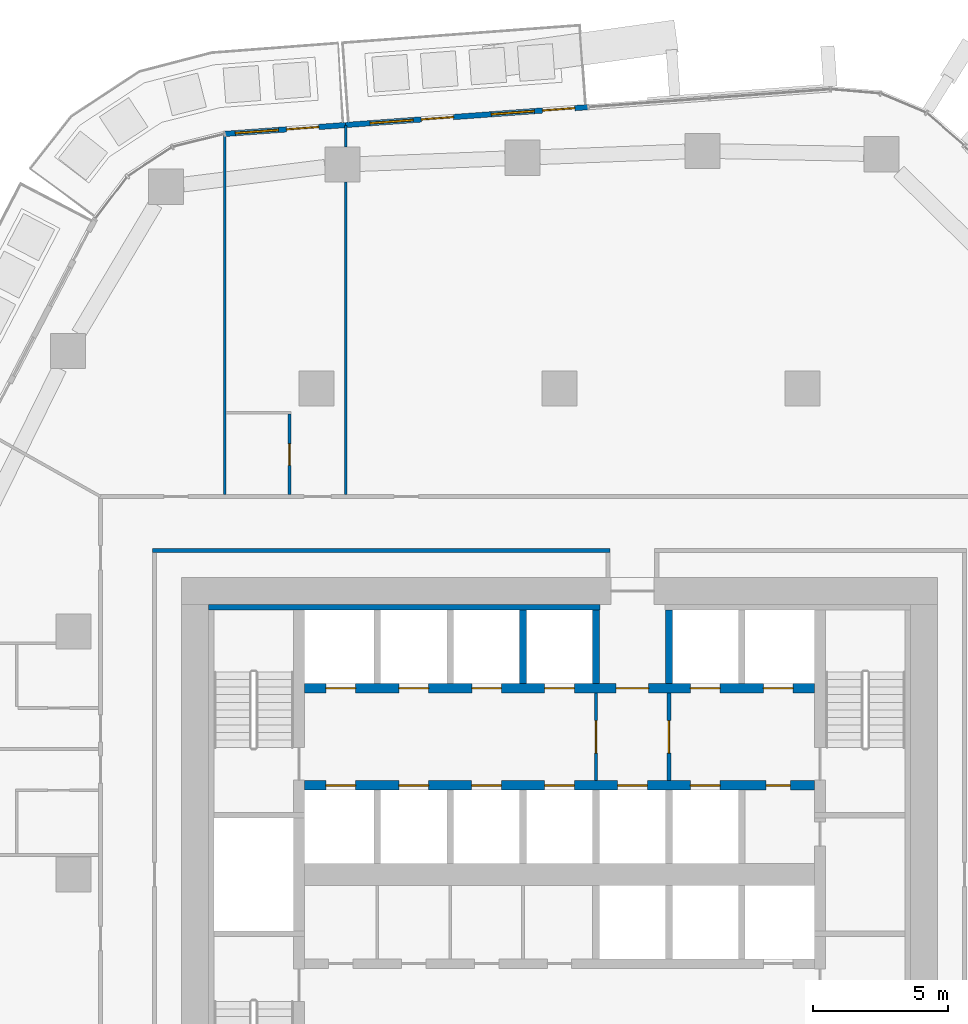
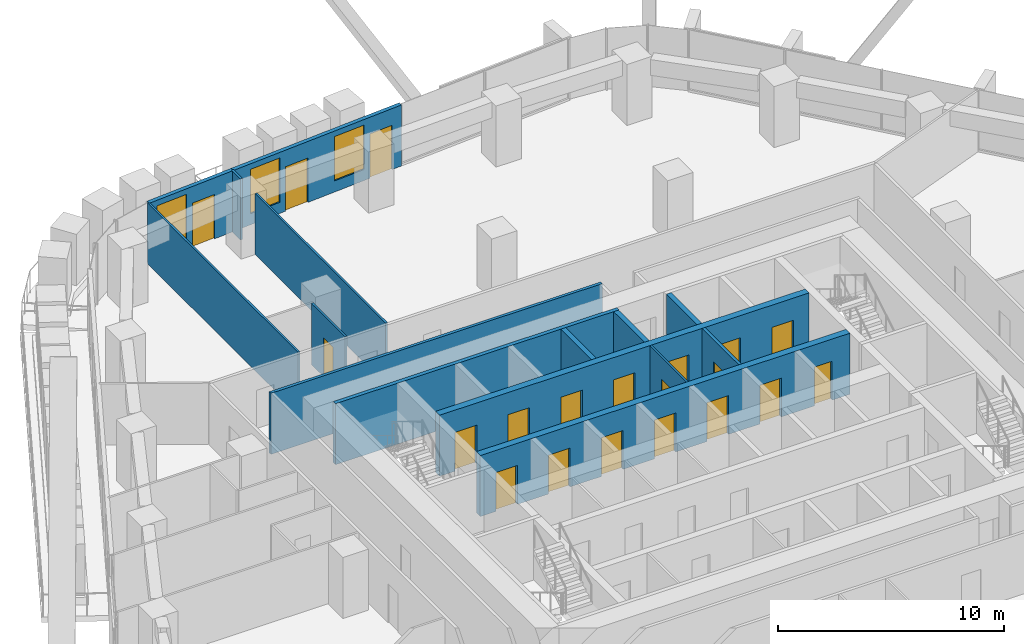
# One storey, part 15 of 24: 20 doors, 15 walls, 3 windows, 23 openings.
"""IFC4 building model written with IfcOpenShell, lengths in metres."""

from ifc_helpers import new_model, si_unit, direction, frame, frame_2d, origin, place, context, subcontext, project, spatial, rectangle, extrude, material, layer, layer_set, type_object, element, fill, save


model = new_model("IFC4")

# Units and contexts
model_context = context("Model", 3, precision=1e-05, world=origin(), true_north=direction((0.0, 1.0)))
body_context = subcontext(model_context, "Body", "Model", "MODEL_VIEW")
ifc_project = project(units=[si_unit("LENGTHUNIT", "METRE"), si_unit("AREAUNIT", "SQUARE_METRE"), si_unit("VOLUMEUNIT", "CUBIC_METRE"), si_unit("PLANEANGLEUNIT", "RADIAN"), si_unit("MASSUNIT", "GRAM", prefix="KILO")], contexts=[model_context])

# Site, building, storey
site_placement = place(None, origin())
site = spatial("IfcSite", under=ifc_project, at=site_placement, CompositionType="ELEMENT")
building_placement = place(site_placement, origin())
building = spatial("IfcBuilding", under=site, at=building_placement, Name="Dongbaek Canopy Tower", CompositionType="ELEMENT")
storey_placement = place(building_placement, frame((0.0, 0.0, 128.5)))
storey = spatial("IfcBuildingStorey", under=building, at=storey_placement, Name="L28", CompositionType="ELEMENT", Elevation=128.5)

# Wall, openings, doors
ifc_material_1 = material(Name="Concrete C60/75", Category="concrete")
ifc_layer_1 = layer(ifc_material_1, 0.35009765625)
ifc_layer_set_1 = layer_set([ifc_layer_1], Name="Core lobby wall 350 Concrete C60/75")
wall_type_1 = type_object("IfcWallType", Name="Core lobby wall 350 Concrete C60/75", PredefinedType="SHEAR", material=ifc_layer_set_1)
wall_1_placement = place(storey_placement, frame((-9.449951171875, 6.89990234375, 0.0), z_axis=(0.0, 0.0, 1.0), x_axis=(1.0, 0.0, 0.0)))
wall_1 = element("IfcWall", 1, at=wall_1_placement, inside=storey, type_object=wall_type_1, Name="Core wall", PredefinedType="SHEAR", context=body_context, shape_type="SweptSolid", body=[
    extrude(rectangle(XDim=18.89990234375, YDim=0.35009765625, at=frame_2d((9.449951171875, 0.0))), origin(), (0.0, 0.0, 1.0), 3.300048828125),
])
opening_1_placement = place(wall_1_placement, frame((0.800048828125, 0.0, 0.0)))
opening_1 = element("IfcOpeningElement", 2, at=opening_1_placement, cuts=wall_1, Name="Opening L28-D026", PredefinedType="OPENING", context=body_context, shape_type="SweptSolid", body=[
    extrude(rectangle(XDim=1.10009765625, YDim=2.10009765625, at=frame_2d((0.550048828125, 1.050048828125))), frame((0.0, 0.18505859375, 0.0), z_axis=(0.0, -1.0, 0.0), x_axis=(1.0, 0.0, 0.0)), (0.0, 0.0, 1.0), 0.3701171875),
])
opening_2_placement = place(wall_1_placement, frame((3.5, 0.0, 0.0)))
opening_2 = element("IfcOpeningElement", 3, at=opening_2_placement, cuts=wall_1, Name="Opening L28-D027", PredefinedType="OPENING", context=body_context, shape_type="SweptSolid", body=[
    extrude(rectangle(XDim=1.10009765625, YDim=2.10009765625, at=frame_2d((0.550048828125, 1.050048828125))), frame((0.0, 0.18505859375, 0.0), z_axis=(0.0, -1.0, 0.0), x_axis=(1.0, 0.0, 0.0)), (0.0, 0.0, 1.0), 0.3701171875),
])
opening_3_placement = place(wall_1_placement, frame((6.199951171875, 0.0, 0.0)))
opening_3 = element("IfcOpeningElement", 4, at=opening_3_placement, cuts=wall_1, Name="Opening L28-D028", PredefinedType="OPENING", context=body_context, shape_type="SweptSolid", body=[
    extrude(rectangle(XDim=1.10009765625, YDim=2.10009765625, at=frame_2d((0.550048828125, 1.050048828125))), frame((0.0, 0.18505859375, 0.0), z_axis=(0.0, -1.0, 0.0), x_axis=(1.0, 0.0, 0.0)), (0.0, 0.0, 1.0), 0.3701171875),
])
opening_4_placement = place(wall_1_placement, frame((8.89990234375, 0.0, 0.0)))
opening_4 = element("IfcOpeningElement", 5, at=opening_4_placement, cuts=wall_1, Name="Opening L28-D029", PredefinedType="OPENING", context=body_context, shape_type="SweptSolid", body=[
    extrude(rectangle(XDim=1.10009765625, YDim=2.10009765625, at=frame_2d((0.550048828125, 1.050048828125))), frame((0.0, 0.18505859375, 0.0), z_axis=(0.0, -1.0, 0.0), x_axis=(1.0, 0.0, 0.0)), (0.0, 0.0, 1.0), 0.3701171875),
])
opening_5_placement = place(wall_1_placement, frame((11.550048828125, 0.0, 0.0)))
opening_5 = element("IfcOpeningElement", 6, at=opening_5_placement, cuts=wall_1, Name="Opening L28-D031", PredefinedType="OPENING", context=body_context, shape_type="SweptSolid", body=[
    extrude(rectangle(XDim=1.199951171875, YDim=2.10009765625, at=frame_2d((0.60009765625, 1.050048828125))), frame((0.0, 0.18505859375, 0.0), z_axis=(0.0, -1.0, 0.0), x_axis=(1.0, 0.0, 0.0)), (0.0, 0.0, 1.0), 0.3701171875),
])
opening_6_placement = place(wall_1_placement, frame((14.300048828125, 0.0, 0.0)))
opening_6 = element("IfcOpeningElement", 7, at=opening_6_placement, cuts=wall_1, Name="Opening L28-D032", PredefinedType="OPENING", context=body_context, shape_type="SweptSolid", body=[
    extrude(rectangle(XDim=1.10009765625, YDim=2.10009765625, at=frame_2d((0.550048828125, 1.050048828125))), frame((0.0, 0.18505859375, 0.0), z_axis=(0.0, -1.0, 0.0), x_axis=(1.0, 0.0, 0.0)), (0.0, 0.0, 1.0), 0.3701171875),
])
opening_7_placement = place(wall_1_placement, frame((17.0, 0.0, 0.0)))
opening_7 = element("IfcOpeningElement", 8, at=opening_7_placement, cuts=wall_1, Name="Opening L28-D033", PredefinedType="OPENING", context=body_context, shape_type="SweptSolid", body=[
    extrude(rectangle(XDim=1.10009765625, YDim=2.10009765625, at=frame_2d((0.550048828125, 1.050048828125))), frame((0.0, 0.18505859375, 0.0), z_axis=(0.0, -1.0, 0.0), x_axis=(1.0, 0.0, 0.0)), (0.0, 0.0, 1.0), 0.3701171875),
])
ifc_material_2 = material(Name="Steel", Category="steel")
door_type_1 = type_object("IfcDoorType", Name="Fire lobby door 1200 x 2100", OperationType="SINGLE_SWING_LEFT", PredefinedType="DOOR", material=ifc_material_2)
door_1_placement = place(opening_5_placement, origin())
door_1 = element("IfcDoor", 9, at=door_1_placement, inside=storey, type_object=door_type_1, Name="Door L28-D031", OperationType="SINGLE_SWING_LEFT", OverallHeight=2.10009765625, OverallWidth=1.199951171875, PredefinedType="DOOR", context=body_context, shape_type="SweptSolid", body=[
    extrude(rectangle(XDim=1.199951171875, YDim=2.10009765625, at=frame_2d((0.60009765625, 1.050048828125))), frame((0.0, 0.02490234375, 0.0), z_axis=(0.0, -1.0, 0.0), x_axis=(1.0, 0.0, 0.0)), (0.0, 0.0, 1.0), 0.050048828125),
])
fill(opening_5, door_1)
ifc_material_3 = material(Name="Stainless steel", Category="steel")
door_type_2 = type_object("IfcDoorType", Name="Lift landing door 1100 x 2100", OperationType="DOUBLE_DOOR_SLIDING", PredefinedType="DOOR", material=ifc_material_3)
door_2_placement = place(opening_1_placement, origin())
door_2 = element("IfcDoor", 10, at=door_2_placement, inside=storey, type_object=door_type_2, Name="Landing door LR1", OperationType="DOUBLE_DOOR_SLIDING", OverallHeight=2.10009765625, OverallWidth=1.10009765625, PredefinedType="DOOR", context=body_context, shape_type="SweptSolid", body=[
    extrude(rectangle(XDim=1.10009765625, YDim=2.10009765625, at=frame_2d((0.550048828125, 1.050048828125))), frame((0.0, 0.02490234375, 0.0), z_axis=(0.0, -1.0, 0.0), x_axis=(1.0, 0.0, 0.0)), (0.0, 0.0, 1.0), 0.050048828125),
])
fill(opening_1, door_2)
door_3_placement = place(opening_2_placement, origin())
door_3 = element("IfcDoor", 11, at=door_3_placement, inside=storey, type_object=door_type_2, Name="Landing door LR2", OperationType="DOUBLE_DOOR_SLIDING", OverallHeight=2.10009765625, OverallWidth=1.10009765625, PredefinedType="DOOR", context=body_context, shape_type="SweptSolid", body=[
    extrude(rectangle(XDim=1.10009765625, YDim=2.10009765625, at=frame_2d((0.550048828125, 1.050048828125))), frame((0.0, 0.02490234375, 0.0), z_axis=(0.0, -1.0, 0.0), x_axis=(1.0, 0.0, 0.0)), (0.0, 0.0, 1.0), 0.050048828125),
])
fill(opening_2, door_3)
door_4_placement = place(opening_3_placement, origin())
door_4 = element("IfcDoor", 12, at=door_4_placement, inside=storey, type_object=door_type_2, Name="Landing door LR3", OperationType="DOUBLE_DOOR_SLIDING", OverallHeight=2.10009765625, OverallWidth=1.10009765625, PredefinedType="DOOR", context=body_context, shape_type="SweptSolid", body=[
    extrude(rectangle(XDim=1.10009765625, YDim=2.10009765625, at=frame_2d((0.550048828125, 1.050048828125))), frame((0.0, 0.02490234375, 0.0), z_axis=(0.0, -1.0, 0.0), x_axis=(1.0, 0.0, 0.0)), (0.0, 0.0, 1.0), 0.050048828125),
])
fill(opening_3, door_4)
door_5_placement = place(opening_4_placement, origin())
door_5 = element("IfcDoor", 13, at=door_5_placement, inside=storey, type_object=door_type_2, Name="Landing door LR4", OperationType="DOUBLE_DOOR_SLIDING", OverallHeight=2.10009765625, OverallWidth=1.10009765625, PredefinedType="DOOR", context=body_context, shape_type="SweptSolid", body=[
    extrude(rectangle(XDim=1.10009765625, YDim=2.10009765625, at=frame_2d((0.550048828125, 1.050048828125))), frame((0.0, 0.02490234375, 0.0), z_axis=(0.0, -1.0, 0.0), x_axis=(1.0, 0.0, 0.0)), (0.0, 0.0, 1.0), 0.050048828125),
])
fill(opening_4, door_5)
door_6_placement = place(opening_6_placement, origin())
door_6 = element("IfcDoor", 14, at=door_6_placement, inside=storey, type_object=door_type_2, Name="Landing door FF1", OperationType="DOUBLE_DOOR_SLIDING", OverallHeight=2.10009765625, OverallWidth=1.10009765625, PredefinedType="DOOR", context=body_context, shape_type="SweptSolid", body=[
    extrude(rectangle(XDim=1.10009765625, YDim=2.10009765625, at=frame_2d((0.550048828125, 1.050048828125))), frame((0.0, 0.02490234375, 0.0), z_axis=(0.0, -1.0, 0.0), x_axis=(1.0, 0.0, 0.0)), (0.0, 0.0, 1.0), 0.050048828125),
])
fill(opening_6, door_6)
door_7_placement = place(opening_7_placement, origin())
door_7 = element("IfcDoor", 15, at=door_7_placement, inside=storey, type_object=door_type_2, Name="Landing door FF2", OperationType="DOUBLE_DOOR_SLIDING", OverallHeight=2.10009765625, OverallWidth=1.10009765625, PredefinedType="DOOR", context=body_context, shape_type="SweptSolid", body=[
    extrude(rectangle(XDim=1.10009765625, YDim=2.10009765625, at=frame_2d((0.550048828125, 1.050048828125))), frame((0.0, 0.02490234375, 0.0), z_axis=(0.0, -1.0, 0.0), x_axis=(1.0, 0.0, 0.0)), (0.0, 0.0, 1.0), 0.050048828125),
])
fill(opening_7, door_7)

wall_2_placement = place(storey_placement, frame((9.449951171875, 3.300048828125, 0.0), z_axis=(0.0, 0.0, 1.0), x_axis=(-1.0, 0.0, 0.0)))
wall_2 = element("IfcWall", 16, at=wall_2_placement, inside=storey, type_object=wall_type_1, Name="Core wall", PredefinedType="SHEAR", context=body_context, shape_type="SweptSolid", body=[
    extrude(rectangle(XDim=18.89990234375, YDim=0.35009765625, at=frame_2d((9.449951171875, 0.0))), origin(), (0.0, 0.0, 1.0), 3.300048828125),
])
opening_8_placement = place(wall_2_placement, frame((17.0, 0.0, 0.0)))
opening_8 = element("IfcOpeningElement", 17, at=opening_8_placement, cuts=wall_2, Name="Opening L28-D034", PredefinedType="OPENING", context=body_context, shape_type="SweptSolid", body=[
    extrude(rectangle(XDim=1.10009765625, YDim=2.10009765625, at=frame_2d((0.550048828125, 1.050048828125))), frame((0.0, 0.18505859375, 0.0), z_axis=(0.0, -1.0, 0.0), x_axis=(1.0, 0.0, 0.0)), (0.0, 0.0, 1.0), 0.3701171875),
])
opening_9_placement = place(wall_2_placement, frame((14.300048828125, 0.0, 0.0)))
opening_9 = element("IfcOpeningElement", 18, at=opening_9_placement, cuts=wall_2, Name="Opening L28-D035", PredefinedType="OPENING", context=body_context, shape_type="SweptSolid", body=[
    extrude(rectangle(XDim=1.10009765625, YDim=2.10009765625, at=frame_2d((0.550048828125, 1.050048828125))), frame((0.0, 0.18505859375, 0.0), z_axis=(0.0, -1.0, 0.0), x_axis=(1.0, 0.0, 0.0)), (0.0, 0.0, 1.0), 0.3701171875),
])
opening_10_placement = place(wall_2_placement, frame((11.60009765625, 0.0, 0.0)))
opening_10 = element("IfcOpeningElement", 19, at=opening_10_placement, cuts=wall_2, Name="Opening L28-D036", PredefinedType="OPENING", context=body_context, shape_type="SweptSolid", body=[
    extrude(rectangle(XDim=1.10009765625, YDim=2.10009765625, at=frame_2d((0.550048828125, 1.050048828125))), frame((0.0, 0.18505859375, 0.0), z_axis=(0.0, -1.0, 0.0), x_axis=(1.0, 0.0, 0.0)), (0.0, 0.0, 1.0), 0.3701171875),
])
opening_11_placement = place(wall_2_placement, frame((8.89990234375, 0.0, 0.0)))
opening_11 = element("IfcOpeningElement", 20, at=opening_11_placement, cuts=wall_2, Name="Opening L28-D037", PredefinedType="OPENING", context=body_context, shape_type="SweptSolid", body=[
    extrude(rectangle(XDim=1.10009765625, YDim=2.10009765625, at=frame_2d((0.550048828125, 1.050048828125))), frame((0.0, 0.18505859375, 0.0), z_axis=(0.0, -1.0, 0.0), x_axis=(1.0, 0.0, 0.0)), (0.0, 0.0, 1.0), 0.3701171875),
])
opening_12_placement = place(wall_2_placement, frame((6.199951171875, 0.0, 0.0)))
opening_12 = element("IfcOpeningElement", 21, at=opening_12_placement, cuts=wall_2, Name="Opening L28-D038", PredefinedType="OPENING", context=body_context, shape_type="SweptSolid", body=[
    extrude(rectangle(XDim=1.10009765625, YDim=2.10009765625, at=frame_2d((0.550048828125, 1.050048828125))), frame((0.0, 0.18505859375, 0.0), z_axis=(0.0, -1.0, 0.0), x_axis=(1.0, 0.0, 0.0)), (0.0, 0.0, 1.0), 0.3701171875),
])
opening_13_placement = place(wall_2_placement, frame((3.5, 0.0, 0.0)))
opening_13 = element("IfcOpeningElement", 22, at=opening_13_placement, cuts=wall_2, Name="Opening L28-D039", PredefinedType="OPENING", context=body_context, shape_type="SweptSolid", body=[
    extrude(rectangle(XDim=1.10009765625, YDim=2.10009765625, at=frame_2d((0.550048828125, 1.050048828125))), frame((0.0, 0.18505859375, 0.0), z_axis=(0.0, -1.0, 0.0), x_axis=(1.0, 0.0, 0.0)), (0.0, 0.0, 1.0), 0.3701171875),
])
opening_14_placement = place(wall_2_placement, frame((0.89990234375, 0.0, 0.0)))
opening_14 = element("IfcOpeningElement", 23, at=opening_14_placement, cuts=wall_2, Name="Opening L28-D040", PredefinedType="OPENING", context=body_context, shape_type="SweptSolid", body=[
    extrude(rectangle(XDim=0.89990234375, YDim=2.10009765625, at=frame_2d((0.449951171875, 1.050048828125))), frame((0.0, 0.18505859375, 0.0), z_axis=(0.0, -1.0, 0.0), x_axis=(1.0, 0.0, 0.0)), (0.0, 0.0, 1.0), 0.3701171875),
])
ifc_material_4 = material(Name="Steel", Category="steel")
door_type_3 = type_object("IfcDoorType", Name="Core room door 900 x 2100", OperationType="SINGLE_SWING_LEFT", PredefinedType="DOOR", material=ifc_material_4)
door_8_placement = place(opening_14_placement, origin())
door_8 = element("IfcDoor", 24, at=door_8_placement, inside=storey, type_object=door_type_3, Name="Door L28-D040", OperationType="SINGLE_SWING_LEFT", OverallHeight=2.10009765625, OverallWidth=0.89990234375, PredefinedType="DOOR", context=body_context, shape_type="SweptSolid", body=[
    extrude(rectangle(XDim=0.89990234375, YDim=2.10009765625, at=frame_2d((0.449951171875, 1.050048828125))), frame((0.0, 0.02490234375, 0.0), z_axis=(0.0, -1.0, 0.0), x_axis=(1.0, 0.0, 0.0)), (0.0, 0.0, 1.0), 0.050048828125),
])
fill(opening_14, door_8)
door_9_placement = place(opening_8_placement, origin())
door_9 = element("IfcDoor", 25, at=door_9_placement, inside=storey, type_object=door_type_2, Name="Landing door LR5", OperationType="DOUBLE_DOOR_SLIDING", OverallHeight=2.10009765625, OverallWidth=1.10009765625, PredefinedType="DOOR", context=body_context, shape_type="SweptSolid", body=[
    extrude(rectangle(XDim=1.10009765625, YDim=2.10009765625, at=frame_2d((0.550048828125, 1.050048828125))), frame((0.0, 0.02490234375, 0.0), z_axis=(0.0, -1.0, 0.0), x_axis=(1.0, 0.0, 0.0)), (0.0, 0.0, 1.0), 0.050048828125),
])
fill(opening_8, door_9)
door_10_placement = place(opening_9_placement, origin())
door_10 = element("IfcDoor", 26, at=door_10_placement, inside=storey, type_object=door_type_2, Name="Landing door LR6", OperationType="DOUBLE_DOOR_SLIDING", OverallHeight=2.10009765625, OverallWidth=1.10009765625, PredefinedType="DOOR", context=body_context, shape_type="SweptSolid", body=[
    extrude(rectangle(XDim=1.10009765625, YDim=2.10009765625, at=frame_2d((0.550048828125, 1.050048828125))), frame((0.0, 0.02490234375, 0.0), z_axis=(0.0, -1.0, 0.0), x_axis=(1.0, 0.0, 0.0)), (0.0, 0.0, 1.0), 0.050048828125),
])
fill(opening_9, door_10)
door_11_placement = place(opening_10_placement, origin())
door_11 = element("IfcDoor", 27, at=door_11_placement, inside=storey, type_object=door_type_2, Name="Landing door LR7", OperationType="DOUBLE_DOOR_SLIDING", OverallHeight=2.10009765625, OverallWidth=1.10009765625, PredefinedType="DOOR", context=body_context, shape_type="SweptSolid", body=[
    extrude(rectangle(XDim=1.10009765625, YDim=2.10009765625, at=frame_2d((0.550048828125, 1.050048828125))), frame((0.0, 0.02490234375, 0.0), z_axis=(0.0, -1.0, 0.0), x_axis=(1.0, 0.0, 0.0)), (0.0, 0.0, 1.0), 0.050048828125),
])
fill(opening_10, door_11)
door_12_placement = place(opening_11_placement, origin())
door_12 = element("IfcDoor", 28, at=door_12_placement, inside=storey, type_object=door_type_2, Name="Landing door LR8", OperationType="DOUBLE_DOOR_SLIDING", OverallHeight=2.10009765625, OverallWidth=1.10009765625, PredefinedType="DOOR", context=body_context, shape_type="SweptSolid", body=[
    extrude(rectangle(XDim=1.10009765625, YDim=2.10009765625, at=frame_2d((0.550048828125, 1.050048828125))), frame((0.0, 0.02490234375, 0.0), z_axis=(0.0, -1.0, 0.0), x_axis=(1.0, 0.0, 0.0)), (0.0, 0.0, 1.0), 0.050048828125),
])
fill(opening_11, door_12)
door_13_placement = place(opening_12_placement, origin())
door_13 = element("IfcDoor", 29, at=door_13_placement, inside=storey, type_object=door_type_2, Name="Landing door SV1", OperationType="DOUBLE_DOOR_SLIDING", OverallHeight=2.10009765625, OverallWidth=1.10009765625, PredefinedType="DOOR", context=body_context, shape_type="SweptSolid", body=[
    extrude(rectangle(XDim=1.10009765625, YDim=2.10009765625, at=frame_2d((0.550048828125, 1.050048828125))), frame((0.0, 0.02490234375, 0.0), z_axis=(0.0, -1.0, 0.0), x_axis=(1.0, 0.0, 0.0)), (0.0, 0.0, 1.0), 0.050048828125),
])
fill(opening_12, door_13)
door_14_placement = place(opening_13_placement, origin())
door_14 = element("IfcDoor", 30, at=door_14_placement, inside=storey, type_object=door_type_2, Name="Landing door FF3", OperationType="DOUBLE_DOOR_SLIDING", OverallHeight=2.10009765625, OverallWidth=1.10009765625, PredefinedType="DOOR", context=body_context, shape_type="SweptSolid", body=[
    extrude(rectangle(XDim=1.10009765625, YDim=2.10009765625, at=frame_2d((0.550048828125, 1.050048828125))), frame((0.0, 0.02490234375, 0.0), z_axis=(0.0, -1.0, 0.0), x_axis=(1.0, 0.0, 0.0)), (0.0, 0.0, 1.0), 0.050048828125),
])
fill(opening_13, door_14)

# Walls
ifc_material_5 = material(Name="Concrete C60/75", Category="concrete")
ifc_layer_2 = layer(ifc_material_5, 0.199951171875)
ifc_layer_set_2 = layer_set([ifc_layer_2], Name="Core wall lining 200 Concrete C60/75")
wall_type_2 = type_object("IfcWallType", Name="Core wall lining 200 Concrete C60/75", PredefinedType="SHEAR", material=ifc_layer_set_2)
wall_3_placement = place(storey_placement, frame((-13.0, 9.89990234375, 0.0), z_axis=(0.0, 0.0, 1.0), x_axis=(1.0, 0.0, 0.0)))
element("IfcWall", 31, at=wall_3_placement, inside=storey, type_object=wall_type_2, Name="Core wall lining", PredefinedType="SHEAR", context=body_context, shape_type="SweptSolid", body=[
    extrude(rectangle(XDim=14.5, YDim=0.199951171875, at=frame_2d((7.25, 0.0))), origin(), (0.0, 0.0, 1.0), 3.300048828125),
])
ifc_material_6 = material(Name="Gypsum board partition, steel stud, 2 x 15 mm fire board", Category="steel")
ifc_layer_3 = layer(ifc_material_6, 0.14990234375)
ifc_layer_set_3 = layer_set([ifc_layer_3], Name="Fire-rated partition 150 gypsum board")
wall_type_3 = type_object("IfcWallType", Name="Fire-rated partition 150 gypsum board", PredefinedType="PARTITIONING", material=ifc_layer_set_3)
wall_4_placement = place(storey_placement, frame((-15.074951171875, 12.0, 0.0), z_axis=(0.0, 0.0, 1.0), x_axis=(1.0, 0.0, 0.0)))
element("IfcWall", 32, at=wall_4_placement, inside=storey, type_object=wall_type_3, Name="Corridor partition", PredefinedType="PARTITIONING", context=body_context, shape_type="SweptSolid", body=[
    extrude(rectangle(XDim=16.949951171875, YDim=0.14990234375, at=frame_2d((8.47509765625, 0.0))), origin(), (0.0, 0.0, 1.0), 3.300048828125),
])

# Wall, opening, door
wall_5_placement = place(storey_placement, frame((4.050048828125, 6.72509765625, 0.0), z_axis=(0.0, 0.0, 1.0), x_axis=(0.0, -1.0, 0.0)))
wall_5 = element("IfcWall", 33, at=wall_5_placement, inside=storey, type_object=wall_type_3, Name="Fire lobby partition", PredefinedType="PARTITIONING", context=body_context, shape_type="SweptSolid", body=[
    extrude(rectangle(XDim=3.25, YDim=0.14990234375, at=frame_2d((1.625, 0.0))), origin(), (0.0, 0.0, 1.0), 3.300048828125),
])
opening_15_placement = place(wall_5_placement, frame((1.02490234375, 0.0, 0.0)))
opening_15 = element("IfcOpeningElement", 34, at=opening_15_placement, cuts=wall_5, Name="Opening L28-D056", PredefinedType="OPENING", context=body_context, shape_type="SweptSolid", body=[
    extrude(rectangle(XDim=1.199951171875, YDim=2.10009765625, at=frame_2d((0.60009765625, 1.050048828125))), frame((0.0, 0.0849609375, 0.0), z_axis=(0.0, -1.0, 0.0), x_axis=(1.0, 0.0, 0.0)), (0.0, 0.0, 1.0), 0.169921875),
])
door_15_placement = place(opening_15_placement, origin())
door_15 = element("IfcDoor", 35, at=door_15_placement, inside=storey, type_object=door_type_1, Name="Door L28-D056", OperationType="SINGLE_SWING_RIGHT", OverallHeight=2.10009765625, OverallWidth=1.199951171875, PredefinedType="DOOR", context=body_context, shape_type="SweptSolid", body=[
    extrude(rectangle(XDim=1.199951171875, YDim=2.10009765625, at=frame_2d((0.60009765625, 1.050048828125))), frame((0.0, 0.02490234375, 0.0), z_axis=(0.0, -1.0, 0.0), x_axis=(1.0, 0.0, 0.0)), (0.0, 0.0, 1.0), 0.050048828125),
])
fill(opening_15, door_15)

# Walls
ifc_material_7 = material(Name="Concrete C40/50", Category="concrete")
ifc_layer_4 = layer(ifc_material_7, 0.25)
ifc_layer_set_4 = layer_set([ifc_layer_4], Name="Lift shaft wall 250 Concrete C40/50")
wall_type_4 = type_object("IfcWallType", Name="Lift shaft wall 250 Concrete C40/50", PredefinedType="SOLIDWALL", material=ifc_layer_set_4)
for number, where, z_axis, x_axis, name in (
    (36, (4.050048828125, 7.074951171875, 0.0), (0.0, 0.0, 1.0), (0.0, 1.0, 0.0), "Lift shaft wall"),
    (37, (1.35009765625, 7.074951171875, 0.0), (0.0, 0.0, 1.0), (0.0, 1.0, 0.0), "Lift shaft wall"),
    (38, (-1.35009765625, 7.074951171875, 0.0), (0.0, 0.0, 1.0), (0.0, 1.0, 0.0), "Lift shaft wall"),
):
    element("IfcWall", number, at=place(storey_placement, frame(where, z_axis=z_axis, x_axis=x_axis)), inside=storey, type_object=wall_type_4, Name=name, PredefinedType="SOLIDWALL", context=body_context, shape_type="SweptSolid", body=[
        extrude(rectangle(XDim=2.72509765625, YDim=0.25, at=frame_2d((1.362548828125, 0.0))), origin(), (0.0, 0.0, 1.0), 3.300048828125),
    ])
ifc_material_8 = material(Name="Gypsum board partition, steel stud, 2 x 12.5 mm board", Category="steel")
ifc_layer_5 = layer(ifc_material_8, 0.10009765625)
ifc_layer_set_5 = layer_set([ifc_layer_5], Name="Partition 100 gypsum board")
wall_type_5 = type_object("IfcWallType", Name="Partition 100 gypsum board", PredefinedType="PARTITIONING", material=ifc_layer_set_5)
wall_6_placement = place(storey_placement, frame((-7.916015625, 14.074951171875, 0.0), z_axis=(0.0, 0.0, 1.0), x_axis=(0.0, 1.0, 0.0)))
element("IfcWall", 39, at=wall_6_placement, inside=storey, type_object=wall_type_5, Name="Partition", PredefinedType="PARTITIONING", context=body_context, shape_type="SweptSolid", body=[
    extrude(rectangle(XDim=11.56298828125, YDim=0.10009765625, at=frame_2d((5.781494140625, 0.0))), origin(), (0.0, 0.0, 1.0), 3.300048828125),
])
wall_7_placement = place(storey_placement, frame((-7.916015625, 26.93798828125, 0.0), z_axis=(0.0, 0.0, 1.0), x_axis=(0.0, 1.0, 0.0)))
element("IfcWall", 40, at=wall_7_placement, inside=storey, type_object=wall_type_5, Name="Partition", PredefinedType="PARTITIONING", context=body_context, shape_type="SweptSolid", body=[
    extrude(rectangle(XDim=0.799072265625, YDim=0.10009765625, at=frame_2d((0.3994140625, 0.0))), origin(), (0.0, 0.0, 1.0), 3.300048828125),
])

# Wall, opening, door
wall_8_placement = place(storey_placement, frame((-9.9990234375, 14.074951171875, 0.0), z_axis=(0.0, 0.0, 1.0), x_axis=(0.0, 1.0, 0.0)))
wall_8 = element("IfcWall", 41, at=wall_8_placement, inside=storey, type_object=wall_type_5, Name="Partition", PredefinedType="PARTITIONING", context=body_context, shape_type="SweptSolid", body=[
    extrude(rectangle(XDim=2.97509765625, YDim=0.10009765625, at=frame_2d((1.487548828125, 0.0))), origin(), (0.0, 0.0, 1.0), 3.300048828125),
])
opening_16_placement = place(wall_8_placement, frame((1.074951171875, 0.0, 0.0)))
opening_16 = element("IfcOpeningElement", 42, at=opening_16_placement, cuts=wall_8, Name="Opening L28-D015", PredefinedType="OPENING", context=body_context, shape_type="SweptSolid", body=[
    extrude(rectangle(XDim=0.800048828125, YDim=2.10009765625, at=frame_2d((0.39990234375, 1.050048828125))), frame((0.0, 0.06005859375, 0.0), z_axis=(0.0, -1.0, 0.0), x_axis=(1.0, 0.0, 0.0)), (0.0, 0.0, 1.0), 0.1201171875),
])
ifc_material_9 = material(Name="Timber veneered door leaf", Category="wood")
door_type_4 = type_object("IfcDoorType", Name="En-suite door 800 x 2100", OperationType="SINGLE_SWING_LEFT", PredefinedType="DOOR", material=ifc_material_9)
door_16_placement = place(opening_16_placement, origin())
door_16 = element("IfcDoor", 43, at=door_16_placement, inside=storey, type_object=door_type_4, Name="Door L28-D015", OperationType="SINGLE_SWING_RIGHT", OverallHeight=2.10009765625, OverallWidth=0.800048828125, PredefinedType="DOOR", context=body_context, shape_type="SweptSolid", body=[
    extrude(rectangle(XDim=0.800048828125, YDim=2.10009765625, at=frame_2d((0.39990234375, 1.050048828125))), frame((0.0, 0.02490234375, 0.0), z_axis=(0.0, -1.0, 0.0), x_axis=(1.0, 0.0, 0.0)), (0.0, 0.0, 1.0), 0.050048828125),
])
fill(opening_16, door_16)

# Wall
wall_9_placement = place(storey_placement, frame((-12.39892578125, 14.074951171875, 0.0), z_axis=(0.0, 0.0, 1.0), x_axis=(0.0, 1.0, 0.0)))
element("IfcWall", 44, at=wall_9_placement, inside=storey, type_object=wall_type_5, Name="Partition", PredefinedType="PARTITIONING", context=body_context, shape_type="SweptSolid", body=[
    extrude(rectangle(XDim=13.3310546875, YDim=0.10009765625, at=frame_2d((6.66552734375, 0.0))), origin(), (0.0, 0.0, 1.0), 3.300048828125),
])

# Wall, opening, door
wall_10_placement = place(storey_placement, frame((1.35009765625, 6.72509765625, 0.0), z_axis=(0.0, 0.0, 1.0), x_axis=(0.0, -1.0, 0.0)))
wall_10 = element("IfcWall", 45, at=wall_10_placement, inside=storey, type_object=wall_type_5, Name="Core partition", PredefinedType="PARTITIONING", context=body_context, shape_type="SweptSolid", body=[
    extrude(rectangle(XDim=3.25, YDim=0.10009765625, at=frame_2d((1.625, 0.0))), origin(), (0.0, 0.0, 1.0), 3.300048828125),
])
opening_17_placement = place(wall_10_placement, frame((1.02490234375, 0.0, 0.0)))
opening_17 = element("IfcOpeningElement", 46, at=opening_17_placement, cuts=wall_10, Name="Opening L28-D055", PredefinedType="OPENING", context=body_context, shape_type="SweptSolid", body=[
    extrude(rectangle(XDim=1.199951171875, YDim=2.10009765625, at=frame_2d((0.60009765625, 1.050048828125))), frame((0.0, 0.06005859375, 0.0), z_axis=(0.0, -1.0, 0.0), x_axis=(1.0, 0.0, 0.0)), (0.0, 0.0, 1.0), 0.1201171875),
])
door_17_placement = place(opening_17_placement, origin())
door_17 = element("IfcDoor", 47, at=door_17_placement, inside=storey, type_object=door_type_1, Name="Door L28-D055", OperationType="SINGLE_SWING_LEFT", OverallHeight=2.10009765625, OverallWidth=1.199951171875, PredefinedType="DOOR", context=body_context, shape_type="SweptSolid", body=[
    extrude(rectangle(XDim=1.199951171875, YDim=2.10009765625, at=frame_2d((0.60009765625, 1.050048828125))), frame((0.0, 0.02490234375, 0.0), z_axis=(0.0, -1.0, 0.0), x_axis=(1.0, 0.0, 0.0)), (0.0, 0.0, 1.0), 0.050048828125),
])
fill(opening_17, door_17)

# Wall, openings, doors, windows
ifc_material_10 = material(Name="Aluminium window wall", Category="aluminium")
ifc_layer_6 = layer(ifc_material_10, 0.199951171875)
ifc_layer_set_6 = layer_set([ifc_layer_6], Name="Window wall 200")
wall_type_6 = type_object("IfcWallType", Name="Window wall 200", PredefinedType="SOLIDWALL", material=ifc_layer_set_6)
wall_11_placement = place(storey_placement, frame((1.064697265625, 28.419189453125, 0.0), z_axis=(0.0, 0.0, 1.0), x_axis=(-0.997293582655, -0.07352217349, 0.0)))
wall_11 = element("IfcWall", 48, at=wall_11_placement, inside=storey, type_object=wall_type_6, Name="Window wall L28 1", PredefinedType="SOLIDWALL", context=body_context, shape_type="SweptSolid", body=[
    extrude(rectangle(XDim=9.005615234375, YDim=0.199951171875, at=frame_2d((4.5029296875, 0.0))), origin(), (0.0, 0.0, 1.0), 3.300048828125),
])
opening_18_placement = place(wall_11_placement, frame((2.0, 0.0, 0.60009765625)))
opening_18 = element("IfcOpeningElement", 49, at=opening_18_placement, cuts=wall_11, Name="Opening W1", PredefinedType="OPENING", context=body_context, shape_type="SweptSolid", body=[
    extrude(rectangle(XDim=1.60009765625, YDim=2.39990234375, at=frame_2d((0.800048828125, 1.199951171875))), frame((0.0, 0.10986328125, 0.0), z_axis=(0.0, -1.0, 0.0), x_axis=(1.0, 0.0, 0.0)), (0.0, 0.0, 1.0), 0.219970703125),
])
opening_19_placement = place(wall_11_placement, frame((0.5, 0.0, 0.0)))
opening_19 = element("IfcOpeningElement", 50, at=opening_19_placement, cuts=wall_11, Name="Opening L28-B01", PredefinedType="OPENING", context=body_context, shape_type="SweptSolid", body=[
    extrude(rectangle(XDim=1.199951171875, YDim=2.39990234375, at=frame_2d((0.60009765625, 1.199951171875))), frame((0.0, 0.10986328125, 0.0), z_axis=(0.0, -1.0, 0.0), x_axis=(1.0, 0.0, 0.0)), (0.0, 0.0, 1.0), 0.219970703125),
])
opening_20_placement = place(wall_11_placement, frame((6.5029296875, 0.0, 0.60009765625)))
opening_20 = element("IfcOpeningElement", 51, at=opening_20_placement, cuts=wall_11, Name="Opening W1", PredefinedType="OPENING", context=body_context, shape_type="SweptSolid", body=[
    extrude(rectangle(XDim=1.60009765625, YDim=2.39990234375, at=frame_2d((0.800048828125, 1.199951171875))), frame((0.0, 0.10986328125, 0.0), z_axis=(0.0, -1.0, 0.0), x_axis=(1.0, 0.0, 0.0)), (0.0, 0.0, 1.0), 0.219970703125),
])
opening_21_placement = place(wall_11_placement, frame((5.0029296875, 0.0, 0.0)))
opening_21 = element("IfcOpeningElement", 52, at=opening_21_placement, cuts=wall_11, Name="Opening L28-B02", PredefinedType="OPENING", context=body_context, shape_type="SweptSolid", body=[
    extrude(rectangle(XDim=1.199951171875, YDim=2.39990234375, at=frame_2d((0.60009765625, 1.199951171875))), frame((0.0, 0.10986328125, 0.0), z_axis=(0.0, -1.0, 0.0), x_axis=(1.0, 0.0, 0.0)), (0.0, 0.0, 1.0), 0.219970703125),
])
ifc_material_11 = material(Name="Clear glazing in aluminium frame", Category="aluminium")
door_type_5 = type_object("IfcDoorType", Name="Balcony door BD1 1200 x 2400", OperationType="SLIDING_TO_LEFT", PredefinedType="DOOR", material=ifc_material_11)
door_18_placement = place(opening_19_placement, origin())
door_18 = element("IfcDoor", 53, at=door_18_placement, inside=storey, type_object=door_type_5, Name="Balcony door L28-B01", OperationType="SLIDING_TO_LEFT", OverallHeight=2.39990234375, OverallWidth=1.199951171875, PredefinedType="DOOR", context=body_context, shape_type="SweptSolid", body=[
    extrude(rectangle(XDim=1.199951171875, YDim=2.39990234375, at=frame_2d((0.60009765625, 1.199951171875))), frame((0.0, 0.02490234375, 0.0), z_axis=(0.0, -1.0, 0.0), x_axis=(1.0, 0.0, 0.0)), (0.0, 0.0, 1.0), 0.050048828125),
])
fill(opening_19, door_18)
door_19_placement = place(opening_21_placement, origin())
door_19 = element("IfcDoor", 54, at=door_19_placement, inside=storey, type_object=door_type_5, Name="Balcony door L28-B02", OperationType="SLIDING_TO_LEFT", OverallHeight=2.39990234375, OverallWidth=1.199951171875, PredefinedType="DOOR", context=body_context, shape_type="SweptSolid", body=[
    extrude(rectangle(XDim=1.199951171875, YDim=2.39990234375, at=frame_2d((0.60009765625, 1.199951171875))), frame((0.0, 0.02490234375, 0.0), z_axis=(0.0, -1.0, 0.0), x_axis=(1.0, 0.0, 0.0)), (0.0, 0.0, 1.0), 0.050048828125),
])
fill(opening_21, door_19)
ifc_material_12 = material(Name="Clear glazing in aluminium frame", Category="aluminium")
window_type = type_object("IfcWindowType", Name="Window W1 1600 x 2400", PartitioningType="SINGLE_PANEL", PredefinedType="WINDOW", material=ifc_material_12)
window_1_placement = place(opening_18_placement, origin())
window_1 = element("IfcWindow", 55, at=window_1_placement, inside=storey, type_object=window_type, Name="Window L28 1.1", OverallHeight=2.39990234375, OverallWidth=1.60009765625, PartitioningType="SINGLE_PANEL", PredefinedType="WINDOW", context=body_context, shape_type="SweptSolid", body=[
    extrude(rectangle(XDim=1.60009765625, YDim=2.39990234375, at=frame_2d((0.800048828125, 1.199951171875))), frame((0.0, 0.030029296875, 0.0), z_axis=(0.0, -1.0, 0.0), x_axis=(1.0, 0.0, 0.0)), (0.0, 0.0, 1.0), 0.06005859375),
])
fill(opening_18, window_1)
window_2_placement = place(opening_20_placement, origin())
window_2 = element("IfcWindow", 56, at=window_2_placement, inside=storey, type_object=window_type, Name="Window L28 1.2", OverallHeight=2.39990234375, OverallWidth=1.60009765625, PartitioningType="SINGLE_PANEL", PredefinedType="WINDOW", context=body_context, shape_type="SweptSolid", body=[
    extrude(rectangle(XDim=1.60009765625, YDim=2.39990234375, at=frame_2d((0.800048828125, 1.199951171875))), frame((0.0, 0.030029296875, 0.0), z_axis=(0.0, -1.0, 0.0), x_axis=(1.0, 0.0, 0.0)), (0.0, 0.0, 1.0), 0.06005859375),
])
fill(opening_20, window_2)

# Wall, openings, door, window
wall_12_placement = place(storey_placement, frame((-7.91650390625, 27.757080078125, 0.0), z_axis=(0.0, 0.0, 1.0), x_axis=(-0.997291417846, -0.073551532206, 0.0)))
wall_12 = element("IfcWall", 57, at=wall_12_placement, inside=storey, type_object=wall_type_6, Name="Window wall L28 6", PredefinedType="SOLIDWALL", context=body_context, shape_type="SweptSolid", body=[
    extrude(rectangle(XDim=4.494384765625, YDim=0.199951171875, at=frame_2d((2.2470703125, 0.0))), origin(), (0.0, 0.0, 1.0), 3.300048828125),
])
opening_22_placement = place(wall_12_placement, frame((2.5, 0.0, 0.60009765625)))
opening_22 = element("IfcOpeningElement", 58, at=opening_22_placement, cuts=wall_12, Name="Opening W1", PredefinedType="OPENING", context=body_context, shape_type="SweptSolid", body=[
    extrude(rectangle(XDim=1.60009765625, YDim=2.39990234375, at=frame_2d((0.800048828125, 1.199951171875))), frame((0.0, 0.10986328125, 0.0), z_axis=(0.0, -1.0, 0.0), x_axis=(1.0, 0.0, 0.0)), (0.0, 0.0, 1.0), 0.219970703125),
])
opening_23_placement = place(wall_12_placement, frame((1.0, 0.0, 0.0)))
opening_23 = element("IfcOpeningElement", 59, at=opening_23_placement, cuts=wall_12, Name="Opening L28-B03", PredefinedType="OPENING", context=body_context, shape_type="SweptSolid", body=[
    extrude(rectangle(XDim=1.199951171875, YDim=2.39990234375, at=frame_2d((0.60009765625, 1.199951171875))), frame((0.0, 0.10986328125, 0.0), z_axis=(0.0, -1.0, 0.0), x_axis=(1.0, 0.0, 0.0)), (0.0, 0.0, 1.0), 0.219970703125),
])
door_20_placement = place(opening_23_placement, origin())
door_20 = element("IfcDoor", 60, at=door_20_placement, inside=storey, type_object=door_type_5, Name="Balcony door L28-B03", OperationType="SLIDING_TO_LEFT", OverallHeight=2.39990234375, OverallWidth=1.199951171875, PredefinedType="DOOR", context=body_context, shape_type="SweptSolid", body=[
    extrude(rectangle(XDim=1.199951171875, YDim=2.39990234375, at=frame_2d((0.60009765625, 1.199951171875))), frame((0.0, 0.02490234375, 0.0), z_axis=(0.0, -1.0, 0.0), x_axis=(1.0, 0.0, 0.0)), (0.0, 0.0, 1.0), 0.050048828125),
])
fill(opening_23, door_20)
window_3_placement = place(opening_22_placement, origin())
window_3 = element("IfcWindow", 61, at=window_3_placement, inside=storey, type_object=window_type, Name="Window L28 6.1", OverallHeight=2.39990234375, OverallWidth=1.60009765625, PartitioningType="SINGLE_PANEL", PredefinedType="WINDOW", context=body_context, shape_type="SweptSolid", body=[
    extrude(rectangle(XDim=1.60009765625, YDim=2.39990234375, at=frame_2d((0.800048828125, 1.199951171875))), frame((0.0, 0.030029296875, 0.0), z_axis=(0.0, -1.0, 0.0), x_axis=(1.0, 0.0, 0.0)), (0.0, 0.0, 1.0), 0.06005859375),
])
fill(opening_22, window_3)

save(model, "model.ifc")
